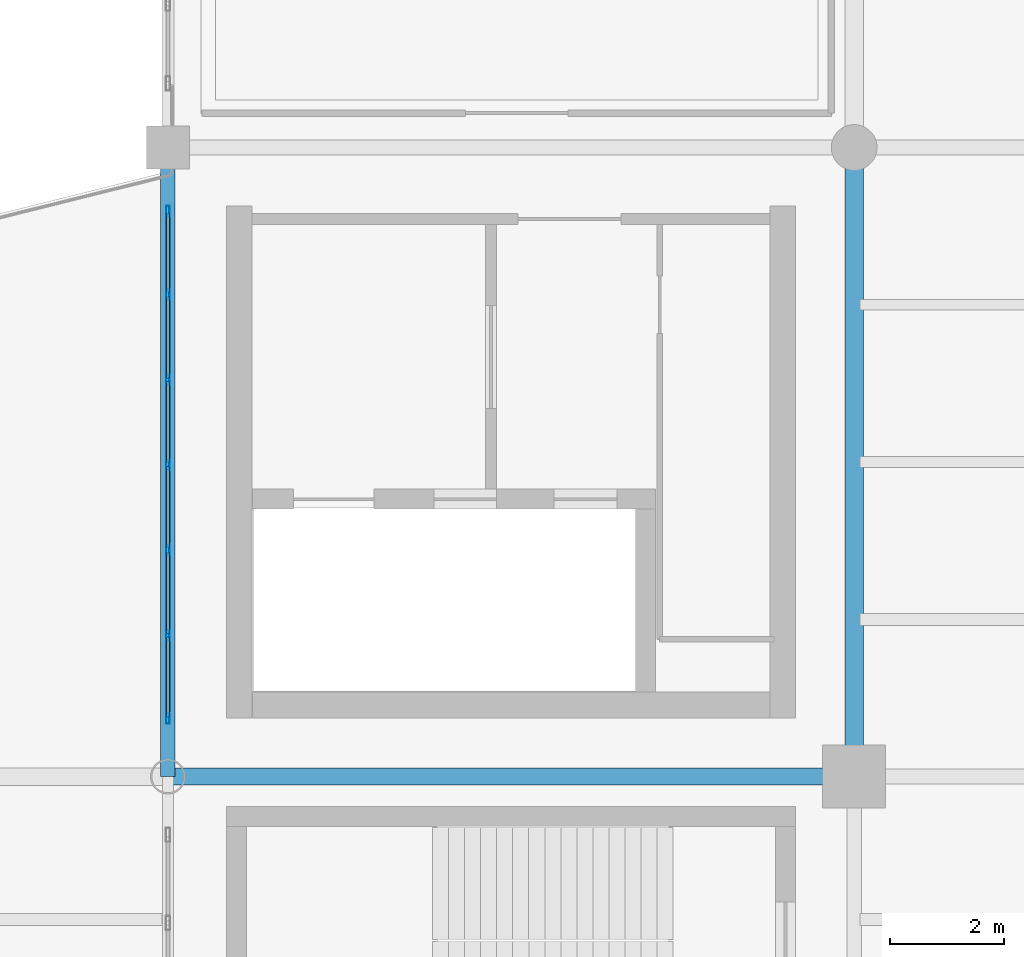
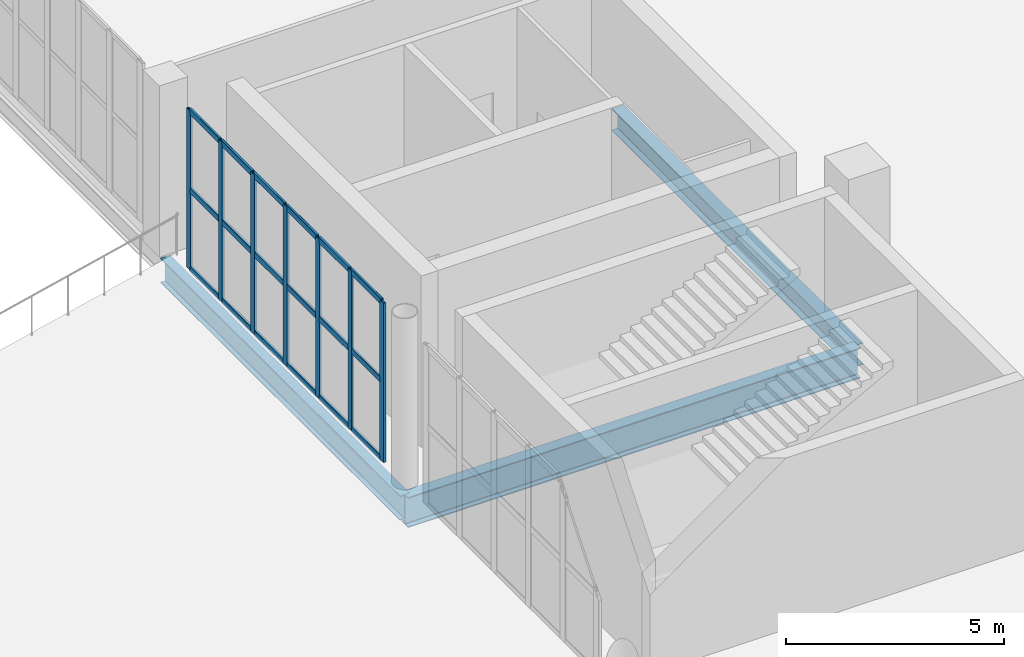
# One storey, part 48 of 136: 25 members, 3 beams, 1 element without a shape of its own.
"""IFC4 building model written with IfcOpenShell, lengths in metres."""

from ifc_helpers import new_model, si_unit, direction, frame, origin, origin_2d, place, context, subcontext, project, spatial, hollow_rectangle, i_section, extrude, material, layer, layer_set, material_profile, profile_set, type_object, element, aggregate, save


model = new_model("IFC4")

# Units and contexts
model_context = context("Model", 3, precision=1e-05, world=origin(), true_north=direction((0.0, 1.0)))
body_context = subcontext(model_context, "Body", "Model", "MODEL_VIEW")
ifc_project = project(units=[si_unit("LENGTHUNIT", "METRE"), si_unit("AREAUNIT", "SQUARE_METRE"), si_unit("VOLUMEUNIT", "CUBIC_METRE"), si_unit("PLANEANGLEUNIT", "RADIAN"), si_unit("MASSUNIT", "GRAM", prefix="KILO")], contexts=[model_context])

# Site, building, storey
site_placement = place(None, origin())
site = spatial("IfcSite", under=ifc_project, at=site_placement, CompositionType="ELEMENT")
building_placement = place(site_placement, origin())
building = spatial("IfcBuilding", under=site, at=building_placement, Name="Brinegate Civic Arena", CompositionType="ELEMENT")
storey_placement = place(building_placement, frame((0.0, 0.0, 5.39990234375)))
storey = spatial("IfcBuildingStorey", under=building, at=storey_placement, Name="L01", CompositionType="ELEMENT", Elevation=5.39990234375)

# Curtain wall, members
ifc_material_1 = material(Name="Marine grade aluminium", Category="aluminium")
ifc_layer = layer(ifc_material_1, 0.199951171875, Name="Marine grade aluminium")
ifc_layer_set = layer_set([ifc_layer], Name="Marine grade aluminium")
curtain_wall_type = type_object("IfcCurtainWallType", Name="CW-BOWL-GLAZED-01", PredefinedType="USERDEFINED", material=ifc_layer_set)
curtain_wall_placement = place(storey_placement, origin())
curtain_wall = element("IfcCurtainWall", 1, at=curtain_wall_placement, inside=storey, type_object=curtain_wall_type, Name="Curtain Wall CWA-058", ObjectType="GLAZED CURTAIN WALL", PredefinedType="USERDEFINED")
ifc_material_profile_1 = material_profile(ifc_material_1, hollow_rectangle(XDim=0.06494140625, YDim=0.179931640625, WallThickness=0.0048828125, InnerFilletRadius=0.00390625, OuterFilletRadius=0.008056640625, at=origin_2d()), Name="MUL65X180")
ifc_profile_set_1 = profile_set([ifc_material_profile_1], Name="Marine grade aluminium")
member_type_1 = type_object("IfcMemberType", Name="CW-MULLION-65X180", PredefinedType="MULLION", material=ifc_profile_set_1)
member_1_placement = place(storey_placement, frame((48.0, 83.013427734375, 0.0), z_axis=(0.0, 0.0, 1.0), x_axis=(-1.0, 0.0, 0.0)))
member_1 = element("IfcMember", 2, at=member_1_placement, type_object=member_type_1, Name="CWA-058 mullion 1", PredefinedType="MULLION", context=body_context, shape_type="SweptSolid", body=[
    extrude(hollow_rectangle(XDim=0.06494140625, YDim=0.179931640625, WallThickness=0.0048828125, InnerFilletRadius=0.00390625, OuterFilletRadius=0.008056640625, at=origin_2d()), origin(), (0.0, 0.0, 1.0), 4.47021484375),
])
member_2_placement = place(storey_placement, frame((48.0, 84.470947265625, 0.0), z_axis=(0.0, 0.0, 1.0), x_axis=(-1.0, 0.0, 0.0)))
member_2 = element("IfcMember", 3, at=member_2_placement, type_object=member_type_1, Name="CWA-058 mullion 2", PredefinedType="MULLION", context=body_context, shape_type="SweptSolid", body=[
    extrude(hollow_rectangle(XDim=0.06494140625, YDim=0.179931640625, WallThickness=0.0048828125, InnerFilletRadius=0.00390625, OuterFilletRadius=0.008056640625, at=origin_2d()), origin(), (0.0, 0.0, 1.0), 4.47021484375),
])
member_3_placement = place(storey_placement, frame((48.0, 85.960693359375, 0.0), z_axis=(0.0, 0.0, 1.0), x_axis=(-1.0, 0.0, 0.0)))
member_3 = element("IfcMember", 4, at=member_3_placement, type_object=member_type_1, Name="CWA-058 mullion 3", PredefinedType="MULLION", context=body_context, shape_type="SweptSolid", body=[
    extrude(hollow_rectangle(XDim=0.06494140625, YDim=0.179931640625, WallThickness=0.0048828125, InnerFilletRadius=0.00390625, OuterFilletRadius=0.008056640625, at=origin_2d()), origin(), (0.0, 0.0, 1.0), 4.47021484375),
])
member_4_placement = place(storey_placement, frame((48.0, 87.450439453125, 0.0), z_axis=(0.0, 0.0, 1.0), x_axis=(-1.0, 0.0, 0.0)))
member_4 = element("IfcMember", 5, at=member_4_placement, type_object=member_type_1, Name="CWA-058 mullion 4", PredefinedType="MULLION", context=body_context, shape_type="SweptSolid", body=[
    extrude(hollow_rectangle(XDim=0.06494140625, YDim=0.179931640625, WallThickness=0.0048828125, InnerFilletRadius=0.00390625, OuterFilletRadius=0.008056640625, at=origin_2d()), origin(), (0.0, 0.0, 1.0), 4.47021484375),
])
member_5_placement = place(storey_placement, frame((48.0, 88.9404296875, 0.0), z_axis=(0.0, 0.0, 1.0), x_axis=(-1.0, 0.0, 0.0)))
member_5 = element("IfcMember", 6, at=member_5_placement, type_object=member_type_1, Name="CWA-058 mullion 5", PredefinedType="MULLION", context=body_context, shape_type="SweptSolid", body=[
    extrude(hollow_rectangle(XDim=0.06494140625, YDim=0.179931640625, WallThickness=0.0048828125, InnerFilletRadius=0.00390625, OuterFilletRadius=0.008056640625, at=origin_2d()), origin(), (0.0, 0.0, 1.0), 4.47021484375),
])
member_6_placement = place(storey_placement, frame((48.0, 90.43017578125, 0.0), z_axis=(0.0, 0.0, 1.0), x_axis=(-1.0, 0.0, 0.0)))
member_6 = element("IfcMember", 7, at=member_6_placement, type_object=member_type_1, Name="CWA-058 mullion 6", PredefinedType="MULLION", context=body_context, shape_type="SweptSolid", body=[
    extrude(hollow_rectangle(XDim=0.06494140625, YDim=0.179931640625, WallThickness=0.0048828125, InnerFilletRadius=0.00390625, OuterFilletRadius=0.008056640625, at=origin_2d()), origin(), (0.0, 0.0, 1.0), 4.47021484375),
])
member_7_placement = place(storey_placement, frame((48.0, 91.887451171875, 0.0), z_axis=(0.0, 0.0, 1.0), x_axis=(-1.0, 0.0, 0.0)))
member_7 = element("IfcMember", 8, at=member_7_placement, type_object=member_type_1, Name="CWA-058 mullion 7", PredefinedType="MULLION", context=body_context, shape_type="SweptSolid", body=[
    extrude(hollow_rectangle(XDim=0.06494140625, YDim=0.179931640625, WallThickness=0.0048828125, InnerFilletRadius=0.00390625, OuterFilletRadius=0.008056640625, at=origin_2d()), origin(), (0.0, 0.0, 1.0), 4.47021484375),
])
ifc_material_profile_2 = material_profile(ifc_material_1, hollow_rectangle(XDim=0.06494140625, YDim=0.1650390625, WallThickness=0.0048828125, InnerFilletRadius=0.00390625, OuterFilletRadius=0.008056640625, at=origin_2d()), Name="TRN65X165")
ifc_profile_set_2 = profile_set([ifc_material_profile_2], Name="Marine grade aluminium")
member_type_2 = type_object("IfcMemberType", Name="CW-TRANSOM-65X165", PredefinedType="USERDEFINED", material=ifc_profile_set_2)
member_8_placement = place(storey_placement, frame((48.0, 83.0458984375, 0.03271484375), z_axis=(0.0, 1.0, 0.0), x_axis=(-1.0, 0.0, 0.0)))
member_8 = element("IfcMember", 9, at=member_8_placement, type_object=member_type_2, Name="CWA-058 transom 1.1", ObjectType="TRANSOM", PredefinedType="USERDEFINED", context=body_context, shape_type="SweptSolid", body=[
    extrude(hollow_rectangle(XDim=0.06494140625, YDim=0.1650390625, WallThickness=0.0048828125, InnerFilletRadius=0.00390625, OuterFilletRadius=0.008056640625, at=origin_2d()), origin(), (0.0, 0.0, 1.0), 1.392333984375),
])
member_9_placement = place(storey_placement, frame((48.0, 83.0458984375, 2.235107421875), z_axis=(0.0, 1.0, 0.0), x_axis=(-1.0, 0.0, 0.0)))
member_9 = element("IfcMember", 10, at=member_9_placement, type_object=member_type_2, Name="CWA-058 transom 1.2", ObjectType="TRANSOM", PredefinedType="USERDEFINED", context=body_context, shape_type="SweptSolid", body=[
    extrude(hollow_rectangle(XDim=0.06494140625, YDim=0.1650390625, WallThickness=0.0048828125, InnerFilletRadius=0.00390625, OuterFilletRadius=0.008056640625, at=origin_2d()), origin(), (0.0, 0.0, 1.0), 1.392333984375),
])
member_10_placement = place(storey_placement, frame((48.0, 83.0458984375, 4.4375), z_axis=(0.0, 1.0, 0.0), x_axis=(-1.0, 0.0, 0.0)))
member_10 = element("IfcMember", 11, at=member_10_placement, type_object=member_type_2, Name="CWA-058 transom 1.3", ObjectType="TRANSOM", PredefinedType="USERDEFINED", context=body_context, shape_type="SweptSolid", body=[
    extrude(hollow_rectangle(XDim=0.06494140625, YDim=0.1650390625, WallThickness=0.0048828125, InnerFilletRadius=0.00390625, OuterFilletRadius=0.008056640625, at=origin_2d()), origin(), (0.0, 0.0, 1.0), 1.392333984375),
])
member_11_placement = place(storey_placement, frame((48.0, 84.50341796875, 0.03271484375), z_axis=(0.0, 1.0, 0.0), x_axis=(-1.0, 0.0, 0.0)))
member_11 = element("IfcMember", 12, at=member_11_placement, type_object=member_type_2, Name="CWA-058 transom 2.1", ObjectType="TRANSOM", PredefinedType="USERDEFINED", context=body_context, shape_type="SweptSolid", body=[
    extrude(hollow_rectangle(XDim=0.06494140625, YDim=0.1650390625, WallThickness=0.0048828125, InnerFilletRadius=0.00390625, OuterFilletRadius=0.008056640625, at=origin_2d()), origin(), (0.0, 0.0, 1.0), 1.4248046875),
])
member_12_placement = place(storey_placement, frame((48.0, 84.50341796875, 2.235107421875), z_axis=(0.0, 1.0, 0.0), x_axis=(-1.0, 0.0, 0.0)))
member_12 = element("IfcMember", 13, at=member_12_placement, type_object=member_type_2, Name="CWA-058 transom 2.2", ObjectType="TRANSOM", PredefinedType="USERDEFINED", context=body_context, shape_type="SweptSolid", body=[
    extrude(hollow_rectangle(XDim=0.06494140625, YDim=0.1650390625, WallThickness=0.0048828125, InnerFilletRadius=0.00390625, OuterFilletRadius=0.008056640625, at=origin_2d()), origin(), (0.0, 0.0, 1.0), 1.4248046875),
])
member_13_placement = place(storey_placement, frame((48.0, 84.50341796875, 4.4375), z_axis=(0.0, 1.0, 0.0), x_axis=(-1.0, 0.0, 0.0)))
member_13 = element("IfcMember", 14, at=member_13_placement, type_object=member_type_2, Name="CWA-058 transom 2.3", ObjectType="TRANSOM", PredefinedType="USERDEFINED", context=body_context, shape_type="SweptSolid", body=[
    extrude(hollow_rectangle(XDim=0.06494140625, YDim=0.1650390625, WallThickness=0.0048828125, InnerFilletRadius=0.00390625, OuterFilletRadius=0.008056640625, at=origin_2d()), origin(), (0.0, 0.0, 1.0), 1.4248046875),
])
member_14_placement = place(storey_placement, frame((48.0, 85.9931640625, 0.03271484375), z_axis=(0.0, 1.0, 0.0), x_axis=(-1.0, 0.0, 0.0)))
member_14 = element("IfcMember", 15, at=member_14_placement, type_object=member_type_2, Name="CWA-058 transom 3.1", ObjectType="TRANSOM", PredefinedType="USERDEFINED", context=body_context, shape_type="SweptSolid", body=[
    extrude(hollow_rectangle(XDim=0.06494140625, YDim=0.1650390625, WallThickness=0.0048828125, InnerFilletRadius=0.00390625, OuterFilletRadius=0.008056640625, at=origin_2d()), origin(), (0.0, 0.0, 1.0), 1.4248046875),
])
member_15_placement = place(storey_placement, frame((48.0, 85.9931640625, 2.235107421875), z_axis=(0.0, 1.0, 0.0), x_axis=(-1.0, 0.0, 0.0)))
member_15 = element("IfcMember", 16, at=member_15_placement, type_object=member_type_2, Name="CWA-058 transom 3.2", ObjectType="TRANSOM", PredefinedType="USERDEFINED", context=body_context, shape_type="SweptSolid", body=[
    extrude(hollow_rectangle(XDim=0.06494140625, YDim=0.1650390625, WallThickness=0.0048828125, InnerFilletRadius=0.00390625, OuterFilletRadius=0.008056640625, at=origin_2d()), origin(), (0.0, 0.0, 1.0), 1.4248046875),
])
member_16_placement = place(storey_placement, frame((48.0, 85.9931640625, 4.4375), z_axis=(0.0, 1.0, 0.0), x_axis=(-1.0, 0.0, 0.0)))
member_16 = element("IfcMember", 17, at=member_16_placement, type_object=member_type_2, Name="CWA-058 transom 3.3", ObjectType="TRANSOM", PredefinedType="USERDEFINED", context=body_context, shape_type="SweptSolid", body=[
    extrude(hollow_rectangle(XDim=0.06494140625, YDim=0.1650390625, WallThickness=0.0048828125, InnerFilletRadius=0.00390625, OuterFilletRadius=0.008056640625, at=origin_2d()), origin(), (0.0, 0.0, 1.0), 1.4248046875),
])
member_17_placement = place(storey_placement, frame((48.0, 87.48291015625, 0.03271484375), z_axis=(0.0, 1.0, 0.0), x_axis=(-1.0, 0.0, 0.0)))
member_17 = element("IfcMember", 18, at=member_17_placement, type_object=member_type_2, Name="CWA-058 transom 4.1", ObjectType="TRANSOM", PredefinedType="USERDEFINED", context=body_context, shape_type="SweptSolid", body=[
    extrude(hollow_rectangle(XDim=0.06494140625, YDim=0.1650390625, WallThickness=0.0048828125, InnerFilletRadius=0.00390625, OuterFilletRadius=0.008056640625, at=origin_2d()), origin(), (0.0, 0.0, 1.0), 1.4248046875),
])
member_18_placement = place(storey_placement, frame((48.0, 87.48291015625, 2.235107421875), z_axis=(0.0, 1.0, 0.0), x_axis=(-1.0, 0.0, 0.0)))
member_18 = element("IfcMember", 19, at=member_18_placement, type_object=member_type_2, Name="CWA-058 transom 4.2", ObjectType="TRANSOM", PredefinedType="USERDEFINED", context=body_context, shape_type="SweptSolid", body=[
    extrude(hollow_rectangle(XDim=0.06494140625, YDim=0.1650390625, WallThickness=0.0048828125, InnerFilletRadius=0.00390625, OuterFilletRadius=0.008056640625, at=origin_2d()), origin(), (0.0, 0.0, 1.0), 1.4248046875),
])
member_19_placement = place(storey_placement, frame((48.0, 87.48291015625, 4.4375), z_axis=(0.0, 1.0, 0.0), x_axis=(-1.0, 0.0, 0.0)))
member_19 = element("IfcMember", 20, at=member_19_placement, type_object=member_type_2, Name="CWA-058 transom 4.3", ObjectType="TRANSOM", PredefinedType="USERDEFINED", context=body_context, shape_type="SweptSolid", body=[
    extrude(hollow_rectangle(XDim=0.06494140625, YDim=0.1650390625, WallThickness=0.0048828125, InnerFilletRadius=0.00390625, OuterFilletRadius=0.008056640625, at=origin_2d()), origin(), (0.0, 0.0, 1.0), 1.4248046875),
])
member_20_placement = place(storey_placement, frame((48.0, 88.972900390625, 0.03271484375), z_axis=(0.0, 1.0, 0.0), x_axis=(-1.0, 0.0, 0.0)))
member_20 = element("IfcMember", 21, at=member_20_placement, type_object=member_type_2, Name="CWA-058 transom 5.1", ObjectType="TRANSOM", PredefinedType="USERDEFINED", context=body_context, shape_type="SweptSolid", body=[
    extrude(hollow_rectangle(XDim=0.06494140625, YDim=0.1650390625, WallThickness=0.0048828125, InnerFilletRadius=0.00390625, OuterFilletRadius=0.008056640625, at=origin_2d()), origin(), (0.0, 0.0, 1.0), 1.4248046875),
])
member_21_placement = place(storey_placement, frame((48.0, 88.972900390625, 2.235107421875), z_axis=(0.0, 1.0, 0.0), x_axis=(-1.0, 0.0, 0.0)))
member_21 = element("IfcMember", 22, at=member_21_placement, type_object=member_type_2, Name="CWA-058 transom 5.2", ObjectType="TRANSOM", PredefinedType="USERDEFINED", context=body_context, shape_type="SweptSolid", body=[
    extrude(hollow_rectangle(XDim=0.06494140625, YDim=0.1650390625, WallThickness=0.0048828125, InnerFilletRadius=0.00390625, OuterFilletRadius=0.008056640625, at=origin_2d()), origin(), (0.0, 0.0, 1.0), 1.4248046875),
])
member_22_placement = place(storey_placement, frame((48.0, 88.972900390625, 4.4375), z_axis=(0.0, 1.0, 0.0), x_axis=(-1.0, 0.0, 0.0)))
member_22 = element("IfcMember", 23, at=member_22_placement, type_object=member_type_2, Name="CWA-058 transom 5.3", ObjectType="TRANSOM", PredefinedType="USERDEFINED", context=body_context, shape_type="SweptSolid", body=[
    extrude(hollow_rectangle(XDim=0.06494140625, YDim=0.1650390625, WallThickness=0.0048828125, InnerFilletRadius=0.00390625, OuterFilletRadius=0.008056640625, at=origin_2d()), origin(), (0.0, 0.0, 1.0), 1.4248046875),
])
member_23_placement = place(storey_placement, frame((48.0, 90.462646484375, 0.03271484375), z_axis=(0.0, 1.0, 0.0), x_axis=(-1.0, 0.0, 0.0)))
member_23 = element("IfcMember", 24, at=member_23_placement, type_object=member_type_2, Name="CWA-058 transom 6.1", ObjectType="TRANSOM", PredefinedType="USERDEFINED", context=body_context, shape_type="SweptSolid", body=[
    extrude(hollow_rectangle(XDim=0.06494140625, YDim=0.1650390625, WallThickness=0.0048828125, InnerFilletRadius=0.00390625, OuterFilletRadius=0.008056640625, at=origin_2d()), origin(), (0.0, 0.0, 1.0), 1.392333984375),
])
member_24_placement = place(storey_placement, frame((48.0, 90.462646484375, 2.235107421875), z_axis=(0.0, 1.0, 0.0), x_axis=(-1.0, 0.0, 0.0)))
member_24 = element("IfcMember", 25, at=member_24_placement, type_object=member_type_2, Name="CWA-058 transom 6.2", ObjectType="TRANSOM", PredefinedType="USERDEFINED", context=body_context, shape_type="SweptSolid", body=[
    extrude(hollow_rectangle(XDim=0.06494140625, YDim=0.1650390625, WallThickness=0.0048828125, InnerFilletRadius=0.00390625, OuterFilletRadius=0.008056640625, at=origin_2d()), origin(), (0.0, 0.0, 1.0), 1.392333984375),
])
member_25_placement = place(storey_placement, frame((48.0, 90.462646484375, 4.4375), z_axis=(0.0, 1.0, 0.0), x_axis=(-1.0, 0.0, 0.0)))
member_25 = element("IfcMember", 26, at=member_25_placement, type_object=member_type_2, Name="CWA-058 transom 6.3", ObjectType="TRANSOM", PredefinedType="USERDEFINED", context=body_context, shape_type="SweptSolid", body=[
    extrude(hollow_rectangle(XDim=0.06494140625, YDim=0.1650390625, WallThickness=0.0048828125, InnerFilletRadius=0.00390625, OuterFilletRadius=0.008056640625, at=origin_2d()), origin(), (0.0, 0.0, 1.0), 1.392333984375),
])
aggregate(curtain_wall, [member_1, member_2, member_3, member_4, member_5, member_6, member_7, member_8, member_9, member_10, member_11, member_12, member_13, member_14, member_15, member_16, member_17, member_18, member_19, member_20, member_21, member_22, member_23, member_24, member_25])

# Beams
ifc_material_2 = material(Name="Steel S355", Category="steel")
ifc_material_profile_3 = material_profile(ifc_material_2, i_section(OverallWidth=0.323974609375, OverallDepth=0.611083984375, WebThickness=0.012939453125, FlangeThickness=0.01904296875, FilletRadius=0.01611328125, at=origin_2d()), Name="W610X155")
ifc_profile_set_3 = profile_set([ifc_material_profile_3], Name="Steel S355")
beam_type_1 = type_object("IfcBeamType", Name="GIRDER-W610X155", PredefinedType="BEAM", material=ifc_profile_set_3)
beam_1_placement = place(storey_placement, frame((60.0, 82.0, -0.64501953125), z_axis=(0.0, 1.0, 0.0), x_axis=(-1.0, 0.0, 0.0)))
element("IfcBeam", 27, at=beam_1_placement, inside=storey, type_object=beam_type_1, Name="Floor Girder BM-L01-GY-05-08", PredefinedType="BEAM", context=body_context, shape_type="SweptSolid", body=[
    extrude(i_section(OverallWidth=0.323974609375, OverallDepth=0.611083984375, WebThickness=0.012939453125, FlangeThickness=0.01904296875, FilletRadius=0.01611328125, at=origin_2d()), origin(), (0.0, 0.0, 1.0), 11.0),
])
ifc_material_profile_4 = material_profile(ifc_material_2, i_section(OverallWidth=0.2939453125, OverallDepth=0.85107421875, WebThickness=0.01611328125, FlangeThickness=0.027099609375, FilletRadius=0.02197265625, at=origin_2d()), Name="W840X226")
ifc_profile_set_4 = profile_set([ifc_material_profile_4], Name="Steel S355")
beam_type_2 = type_object("IfcBeamType", Name="GIRDER-W840X226", PredefinedType="BEAM", material=ifc_profile_set_4)
beam_2_placement = place(storey_placement, frame((48.0, 82.0, -0.764892578125), z_axis=(1.0, 0.0, 0.0), x_axis=(0.0, 1.0, 0.0)))
element("IfcBeam", 28, at=beam_2_placement, inside=storey, type_object=beam_type_2, Name="Floor Girder BM-L01-GX-04-08", PredefinedType="BEAM", context=body_context, shape_type="SweptSolid", body=[
    extrude(i_section(OverallWidth=0.2939453125, OverallDepth=0.85107421875, WebThickness=0.01611328125, FlangeThickness=0.027099609375, FilletRadius=0.02197265625, at=origin_2d()), origin(), (0.0, 0.0, 1.0), 12.0),
])
ifc_material_profile_5 = material_profile(ifc_material_2, i_section(OverallWidth=0.256103515625, OverallDepth=0.693115234375, WebThickness=0.014892578125, FlangeThickness=0.02392578125, FilletRadius=0.01806640625, at=origin_2d()), Name="W690X170")
ifc_profile_set_5 = profile_set([ifc_material_profile_5], Name="Steel S355")
beam_type_3 = type_object("IfcBeamType", Name="SPANDREL-W690X170", PredefinedType="SPANDREL", material=ifc_profile_set_5)
beam_3_placement = place(storey_placement, frame((48.0, 82.0, -0.685791015625), z_axis=(0.0, 1.0, 0.0), x_axis=(-1.0, 0.0, 0.0)))
element("IfcBeam", 29, at=beam_3_placement, inside=storey, type_object=beam_type_3, Name="Floor Girder BM-L01-GY-04-08", PredefinedType="SPANDREL", context=body_context, shape_type="SweptSolid", body=[
    extrude(i_section(OverallWidth=0.256103515625, OverallDepth=0.693115234375, WebThickness=0.014892578125, FlangeThickness=0.02392578125, FilletRadius=0.01806640625, at=origin_2d()), origin(), (0.0, 0.0, 1.0), 11.0),
])

save(model, "model.ifc")
